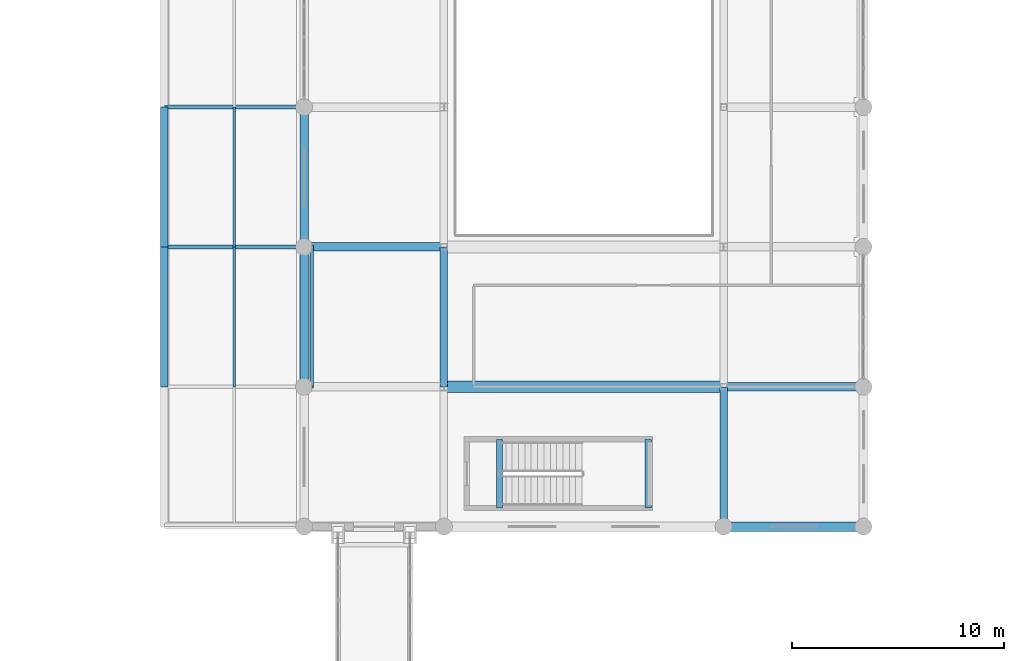
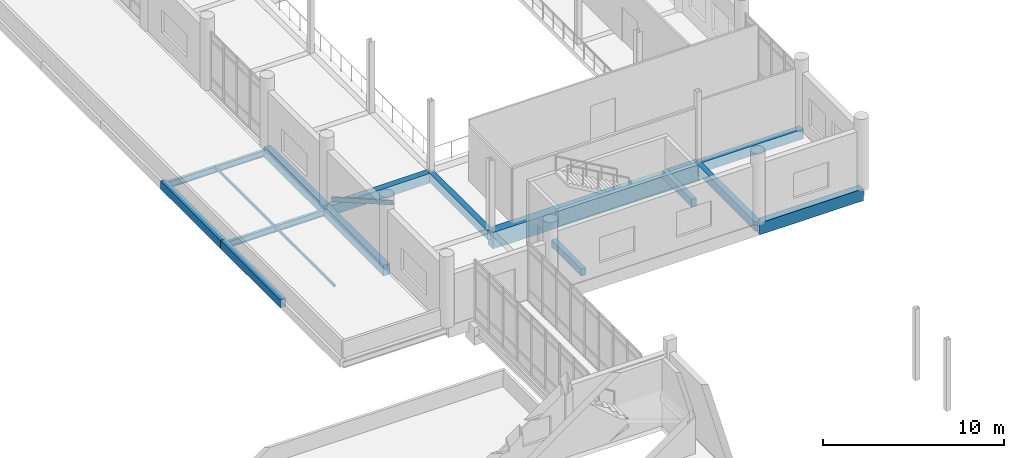
# One storey, part 19 of 125: 14 beams, 3 members.
"""IFC4 building model written with IfcOpenShell, lengths in metres."""

from ifc_helpers import new_model, si_unit, direction, frame, origin, origin_2d, place, context, subcontext, project, spatial, rectangle, hollow_rectangle, i_section, extrude, material, material_profile, profile_set, type_object, element, save


model = new_model("IFC4")

# Units and contexts
model_context = context("Model", 3, precision=1e-05, world=origin(), true_north=direction((0.0, 1.0)))
body_context = subcontext(model_context, "Body", "Model", "MODEL_VIEW")
ifc_project = project(units=[si_unit("LENGTHUNIT", "METRE"), si_unit("AREAUNIT", "SQUARE_METRE"), si_unit("VOLUMEUNIT", "CUBIC_METRE"), si_unit("PLANEANGLEUNIT", "RADIAN"), si_unit("MASSUNIT", "GRAM", prefix="KILO")], contexts=[model_context])

# Site, building, storey
site_placement = place(None, origin())
site = spatial("IfcSite", under=ifc_project, at=site_placement, CompositionType="ELEMENT")
building_placement = place(site_placement, origin())
building = spatial("IfcBuilding", under=site, at=building_placement, Name="Dornvale Research Institute", CompositionType="ELEMENT")
storey_placement = place(building_placement, frame((0.0, 0.0, 5.39990234375)))
storey = spatial("IfcBuildingStorey", under=building, at=storey_placement, Name="L01", CompositionType="ELEMENT", Elevation=5.39990234375)

# Beams
ifc_material_1 = material(Name="Concrete f'c 45 MPa (C35/45)", Category="concrete")
ifc_material_profile_1 = material_profile(ifc_material_1, rectangle(XDim=0.300048828125, YDim=0.5, at=origin_2d()), Name="RC 300x500")
ifc_profile_set_1 = profile_set([ifc_material_profile_1], Name="Concrete f'c 45 MPa (C35/45)")
beam_type_1 = type_object("IfcBeamType", Name="Beam_RC300x500_Trim", PredefinedType="BEAM", material=ifc_profile_set_1)
for number, where, z_axis, x_axis, name in (
    (1, (48.820068359375, 40.47998046875, -0.25), (0.0, 1.0, 0.0), (-1.0, 0.0, 0.0), "L01 ST-7 stair landing trimmer beam #95"),
    (2, (55.85009765625, 40.47998046875, 1.9501953125), (0.0, 1.0, 0.0), (-1.0, 0.0, 0.0), "L01 ST-7 half-landing support beam #100"),
):
    element("IfcBeam", number, at=place(storey_placement, frame(where, z_axis=z_axis, x_axis=x_axis)), inside=storey, type_object=beam_type_1, Name=name, PredefinedType="BEAM", context=body_context, shape_type="SweptSolid", body=[
        extrude(rectangle(XDim=0.300048828125, YDim=0.5, at=origin_2d()), origin(), (0.0, 0.0, 1.0), 3.239990234375),
    ])
ifc_material_2 = material(Name="Concrete f'c 45 MPa (C35/45)", Category="concrete")
ifc_material_profile_2 = material_profile(ifc_material_2, rectangle(XDim=0.35009765625, YDim=0.60009765625, at=origin_2d()), Name="RC 350x600")
ifc_profile_set_2 = profile_set([ifc_material_profile_2], Name="Concrete f'c 45 MPa (C35/45)")
beam_type_2 = type_object("IfcBeamType", Name="Beam_RC350x600_Floor", PredefinedType="BEAM", material=ifc_profile_set_2)
beam_1_placement = place(storey_placement, frame((46.199951171875, 46.199951171875, -0.2998046875), z_axis=(0.0, 1.0, 0.0), x_axis=(-1.0, 0.0, 0.0)))
element("IfcBeam", 3, at=beam_1_placement, inside=storey, type_object=beam_type_2, Name="L01 transverse girder #532", PredefinedType="BEAM", context=body_context, shape_type="SweptSolid", body=[
    extrude(rectangle(XDim=0.35009765625, YDim=0.60009765625, at=origin_2d()), origin(), (0.0, 0.0, 1.0), 6.60009765625),
])
beam_2_placement = place(storey_placement, frame((59.39990234375, 39.60009765625, -0.2998046875), z_axis=(0.0, 1.0, 0.0), x_axis=(-1.0, 0.0, 0.0)))
element("IfcBeam", 4, at=beam_2_placement, inside=storey, type_object=beam_type_2, Name="L01 transverse girder #538", PredefinedType="BEAM", context=body_context, shape_type="SweptSolid", body=[
    extrude(rectangle(XDim=0.35009765625, YDim=0.60009765625, at=origin_2d()), origin(), (0.0, 0.0, 1.0), 6.599853515625),
])
ifc_material_3 = material(Name="Concrete f'c 45 MPa (C35/45)", Category="concrete")
ifc_material_profile_3 = material_profile(ifc_material_3, rectangle(XDim=0.39990234375, YDim=0.64990234375, at=origin_2d()), Name="RC 400x650")
ifc_profile_set_3 = profile_set([ifc_material_profile_3], Name="Concrete f'c 45 MPa (C35/45)")
beam_type_3 = type_object("IfcBeamType", Name="Beam_RC400x650_Floor", PredefinedType="BEAM", material=ifc_profile_set_3)
beam_3_placement = place(storey_placement, frame((59.39990234375, 46.199951171875, -0.324951171875), z_axis=(1.0, 0.0, 0.0), x_axis=(0.0, 1.0, 0.0)))
element("IfcBeam", 5, at=beam_3_placement, inside=storey, type_object=beam_type_3, Name="L01 primary girder #507", PredefinedType="BEAM", context=body_context, shape_type="SweptSolid", body=[
    extrude(rectangle(XDim=0.39990234375, YDim=0.64990234375, at=origin_2d()), origin(), (0.0, 0.0, 1.0), 6.60009765625),
])
beam_4_placement = place(storey_placement, frame((39.60009765625, 52.800048828125, -0.324951171875), z_axis=(1.0, 0.0, 0.0), x_axis=(0.0, 1.0, 0.0)))
element("IfcBeam", 6, at=beam_4_placement, inside=storey, type_object=beam_type_3, Name="L01 primary girder #508", PredefinedType="BEAM", context=body_context, shape_type="SweptSolid", body=[
    extrude(rectangle(XDim=0.39990234375, YDim=0.64990234375, at=origin_2d()), origin(), (0.0, 0.0, 1.0), 6.599853515625),
])
ifc_material_4 = material(Name="Concrete f'c 45 MPa (C35/45)", Category="concrete")
ifc_material_profile_4 = material_profile(ifc_material_4, rectangle(XDim=0.550048828125, YDim=1.10009765625, at=origin_2d()), Name="RC 550x1100")
ifc_profile_set_4 = profile_set([ifc_material_profile_4], Name="Concrete f'c 45 MPa (C35/45)")
beam_type_4 = type_object("IfcBeamType", Name="Beam_RC550x1100_Girder", PredefinedType="BEAM", material=ifc_profile_set_4)
beam_5_placement = place(storey_placement, frame((46.199951171875, 46.199951171875, -0.5498046875), z_axis=(1.0, 0.0, 0.0), x_axis=(0.0, 1.0, 0.0)))
element("IfcBeam", 7, at=beam_5_placement, inside=storey, type_object=beam_type_4, Name="L01 primary girder #506", PredefinedType="BEAM", context=body_context, shape_type="SweptSolid", body=[
    extrude(rectangle(XDim=0.550048828125, YDim=1.10009765625, at=origin_2d()), origin(), (0.0, 0.0, 1.0), 13.199951171875),
])
ifc_material_5 = material(Name="Steel ASTM A992 Grade 50", Category="steel")
ifc_material_profile_5 = material_profile(ifc_material_5, i_section(OverallWidth=0.178955078125, OverallDepth=0.409912109375, WebThickness=0.0087890625, FlangeThickness=0.014404296875, at=origin_2d()), Name="W16X45")
ifc_profile_set_5 = profile_set([ifc_material_profile_5], Name="Steel ASTM A992 Grade 50")
beam_type_5 = type_object("IfcBeamType", Name="Beam_Steel_W16X45_Canopy", PredefinedType="BEAM", material=ifc_profile_set_5)
for number, where, z_axis, x_axis, name in (
    (8, (33.0, 52.800048828125, -0.40478515625), (1.0, 0.0, 0.0), (0.0, 1.0, 0.0), "L01 entrance canopy rib #1885"),
    (9, (33.0, 59.39990234375, -0.40478515625), (1.0, 0.0, 0.0), (0.0, 1.0, 0.0), "L01 entrance canopy rib #1887"),
):
    element("IfcBeam", number, at=place(storey_placement, frame(where, z_axis=z_axis, x_axis=x_axis)), inside=storey, type_object=beam_type_5, Name=name, PredefinedType="BEAM", context=body_context, shape_type="SweptSolid", body=[
        extrude(i_section(OverallWidth=0.178955078125, OverallDepth=0.409912109375, WebThickness=0.0087890625, FlangeThickness=0.014404296875, at=origin_2d()), origin(), (0.0, 0.0, 1.0), 6.60009765625),
    ])

# Member
ifc_material_6 = material(Name="Steel ASTM A500 Grade C", Category="steel")
ifc_material_profile_6 = material_profile(ifc_material_6, hollow_rectangle(XDim=0.152099609375, YDim=0.25390625, WallThickness=0.0087890625, at=origin_2d()), Name="HSS254X152X9.5")
ifc_profile_set_6 = profile_set([ifc_material_profile_6], Name="Steel ASTM A500 Grade C")
member_type_1 = type_object("IfcMemberType", Name="Brace_HSS254X152_Lateral", PredefinedType="BRACE", material=ifc_profile_set_6)
member_1_placement = place(storey_placement, frame((39.9599609375, 52.800048828125, 0.300048828125), z_axis=(0.0, -0.869459696941, 0.494003881964), x_axis=(1.0, 0.0, 0.0)))
element("IfcMember", 10, at=member_1_placement, inside=storey, type_object=member_type_1, Name="L01 seismic diagonal brace #56", PredefinedType="BRACE", context=body_context, shape_type="SweptSolid", body=[
    extrude(hollow_rectangle(XDim=0.152099609375, YDim=0.25390625, WallThickness=0.0087890625, at=origin_2d()), origin(), (0.0, 0.0, 1.0), 7.591064453125),
])

# Beams
ifc_material_7 = material(Name="Concrete f'c 45 MPa (C35/45)", Category="concrete")
ifc_material_profile_7 = material_profile(ifc_material_7, rectangle(XDim=0.35009765625, YDim=0.550048828125, at=origin_2d()), Name="RC 350x550")
ifc_profile_set_7 = profile_set([ifc_material_profile_7], Name="Concrete f'c 45 MPa (C35/45)")
beam_type_6 = type_object("IfcBeamType", Name="Lintel_RC350x550_Arch", PredefinedType="LINTEL", material=ifc_profile_set_7)
beam_6_placement = place(storey_placement, frame((33.0, 46.199951171875, -0.27490234375), z_axis=(0.0, 1.0, 0.0), x_axis=(-1.0, 0.0, 0.0)))
element("IfcBeam", 11, at=beam_6_placement, inside=storey, type_object=beam_type_6, Name="L01 colonnade arch lintel #1869", PredefinedType="LINTEL", context=body_context, shape_type="SweptSolid", body=[
    extrude(rectangle(XDim=0.35009765625, YDim=0.550048828125, at=origin_2d()), origin(), (0.0, 0.0, 1.0), 6.60009765625),
])
beam_7_placement = place(storey_placement, frame((33.0, 52.800048828125, -0.27490234375), z_axis=(0.0, 1.0, 0.0), x_axis=(-1.0, 0.0, 0.0)))
element("IfcBeam", 12, at=beam_7_placement, inside=storey, type_object=beam_type_6, Name="L01 colonnade arch lintel #1871", PredefinedType="LINTEL", context=body_context, shape_type="SweptSolid", body=[
    extrude(rectangle(XDim=0.35009765625, YDim=0.550048828125, at=origin_2d()), origin(), (0.0, 0.0, 1.0), 6.599853515625),
])

# Members
ifc_material_8 = material(Name="Steel ASTM A500 Grade C", Category="steel")
ifc_material_profile_8 = material_profile(ifc_material_8, hollow_rectangle(XDim=0.10205078125, YDim=0.152099609375, WallThickness=0.005859375, at=origin_2d()), Name="HSS152X102X6.4")
ifc_profile_set_8 = profile_set([ifc_material_profile_8], Name="Steel ASTM A500 Grade C")
member_type_2 = type_object("IfcMemberType", Name="Purlin_HSS152X102_Canopy", PredefinedType="PURLIN", material=ifc_profile_set_8)
member_2_placement = place(storey_placement, frame((36.300048828125, 46.199951171875, -0.27587890625), z_axis=(0.0, 1.0, 0.0), x_axis=(-1.0, 0.0, 0.0)))
element("IfcMember", 13, at=member_2_placement, inside=storey, type_object=member_type_2, Name="Entrance canopy purlin #14", PredefinedType="PURLIN", context=body_context, shape_type="SweptSolid", body=[
    extrude(hollow_rectangle(XDim=0.10205078125, YDim=0.152099609375, WallThickness=0.005859375, at=origin_2d()), origin(), (0.0, 0.0, 1.0), 6.60009765625),
])
member_3_placement = place(storey_placement, frame((36.300048828125, 52.800048828125, -0.27587890625), z_axis=(0.0, 1.0, 0.0), x_axis=(-1.0, 0.0, 0.0)))
element("IfcMember", 14, at=member_3_placement, inside=storey, type_object=member_type_2, Name="Entrance canopy purlin #15", PredefinedType="PURLIN", context=body_context, shape_type="SweptSolid", body=[
    extrude(hollow_rectangle(XDim=0.10205078125, YDim=0.152099609375, WallThickness=0.005859375, at=origin_2d()), origin(), (0.0, 0.0, 1.0), 6.599853515625),
])

# Beams
ifc_material_9 = material(Name="Concrete f'c 45 MPa (C35/45)", Category="concrete")
ifc_material_profile_9 = material_profile(ifc_material_9, rectangle(XDim=0.39990234375, YDim=0.699951171875, at=origin_2d()), Name="RC 400x700")
ifc_profile_set_9 = profile_set([ifc_material_profile_9], Name="Concrete f'c 45 MPa (C35/45)")
beam_type_7 = type_object("IfcBeamType", Name="Spandrel_RC400x700_Ext", PredefinedType="SPANDREL", material=ifc_profile_set_9)
beam_8_placement = place(storey_placement, frame((39.60009765625, 46.199951171875, -0.349853515625), z_axis=(0.0, 1.0, 0.0), x_axis=(-1.0, 0.0, 0.0)))
element("IfcBeam", 15, at=beam_8_placement, inside=storey, type_object=beam_type_7, Name="L01 perimeter spandrel #525", PredefinedType="SPANDREL", context=body_context, shape_type="SweptSolid", body=[
    extrude(rectangle(XDim=0.39990234375, YDim=0.699951171875, at=origin_2d()), origin(), (0.0, 0.0, 1.0), 6.60009765625),
])
beam_9_placement = place(storey_placement, frame((39.60009765625, 52.800048828125, -0.349853515625), z_axis=(0.0, 1.0, 0.0), x_axis=(-1.0, 0.0, 0.0)))
element("IfcBeam", 16, at=beam_9_placement, inside=storey, type_object=beam_type_7, Name="L01 perimeter spandrel #526", PredefinedType="SPANDREL", context=body_context, shape_type="SweptSolid", body=[
    extrude(rectangle(XDim=0.39990234375, YDim=0.699951171875, at=origin_2d()), origin(), (0.0, 0.0, 1.0), 6.599853515625),
])
ifc_material_10 = material(Name="Concrete f'c 45 MPa (C35/45)", Category="concrete")
ifc_material_profile_10 = material_profile(ifc_material_10, rectangle(XDim=0.449951171875, YDim=0.800048828125, at=origin_2d()), Name="RC 450x800")
ifc_profile_set_10 = profile_set([ifc_material_profile_10], Name="Concrete f'c 45 MPa (C35/45)")
beam_type_8 = type_object("IfcBeamType", Name="Spandrel_RC450x800_Ext", PredefinedType="SPANDREL", material=ifc_profile_set_10)
beam_10_placement = place(storey_placement, frame((59.39990234375, 39.60009765625, -0.39990234375), z_axis=(1.0, 0.0, 0.0), x_axis=(0.0, 1.0, 0.0)))
element("IfcBeam", 17, at=beam_10_placement, inside=storey, type_object=beam_type_8, Name="L01 perimeter spandrel #504", PredefinedType="SPANDREL", context=body_context, shape_type="SweptSolid", body=[
    extrude(rectangle(XDim=0.449951171875, YDim=0.800048828125, at=origin_2d()), origin(), (0.0, 0.0, 1.0), 6.60009765625),
])

save(model, "model.ifc")
